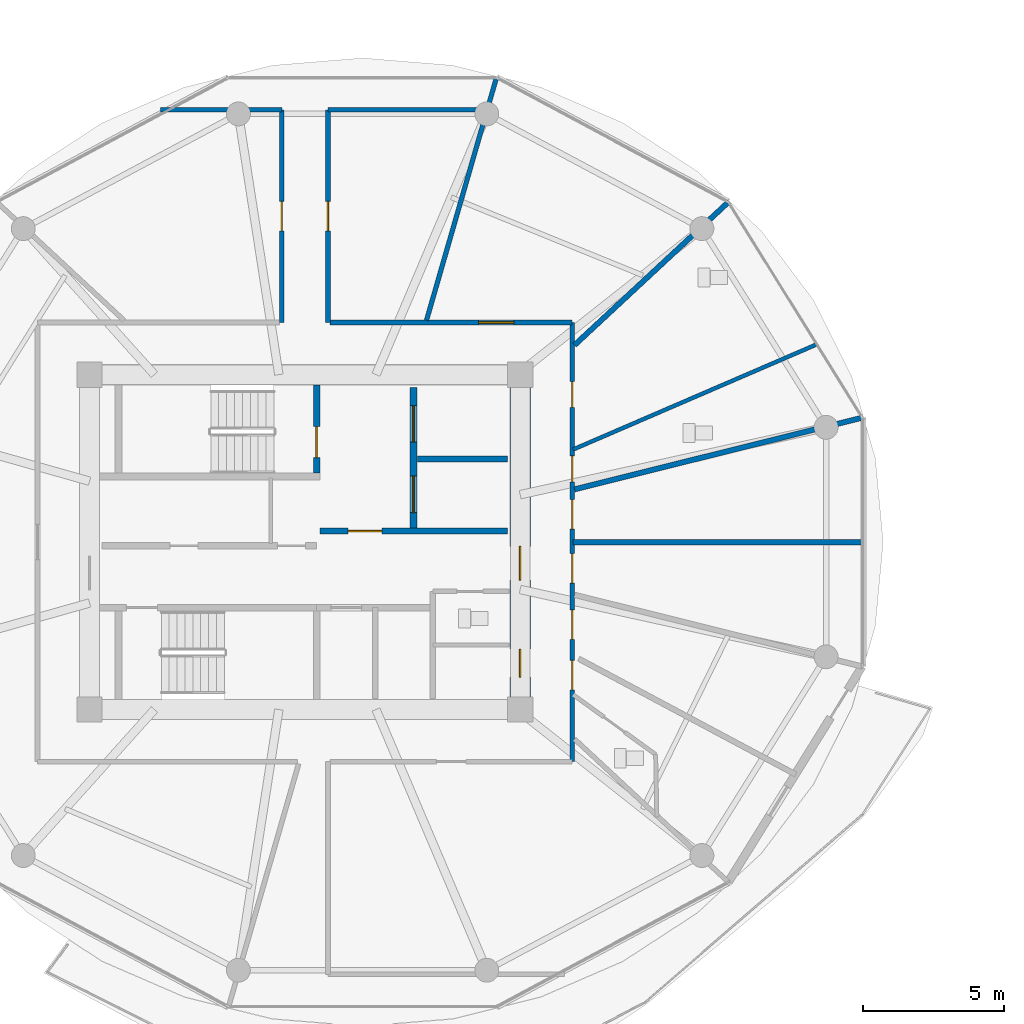
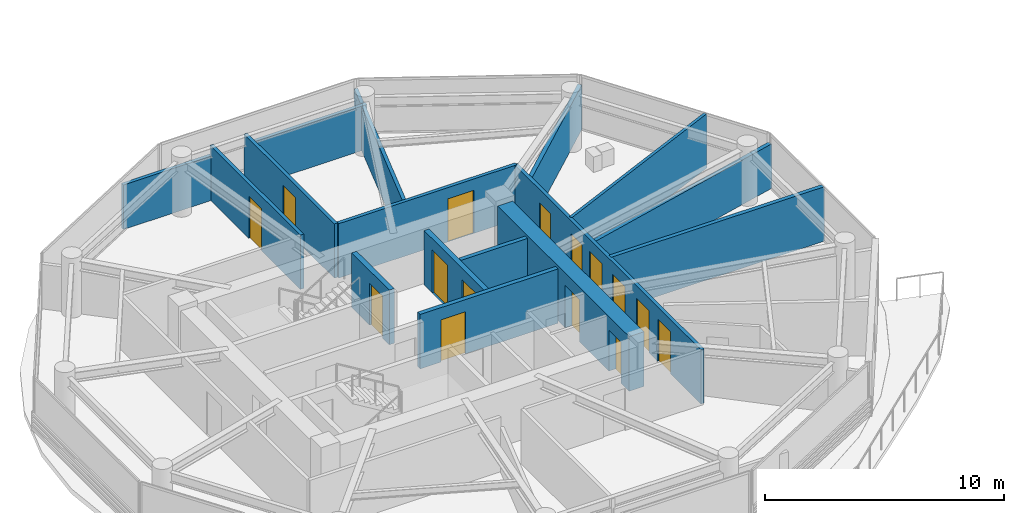
# One storey, part 14 of 24: 16 walls, 15 doors, 15 openings.
"""IFC4 building model written with IfcOpenShell, lengths in metres."""

from ifc_helpers import new_model, si_unit, direction, frame, frame_2d, origin, place, context, subcontext, project, spatial, rectangle, extrude, source, transform, mapped, material, layer, layer_set, type_object, type_shapes, element, fill, save


model = new_model("IFC4")

# Units and contexts
model_context = context("Model", 3, precision=1e-05, world=origin(), true_north=direction((0.0, 1.0)))
body_context = subcontext(model_context, "Body", "Model", "MODEL_VIEW")
ifc_project = project(units=[si_unit("LENGTHUNIT", "METRE"), si_unit("AREAUNIT", "SQUARE_METRE"), si_unit("VOLUMEUNIT", "CUBIC_METRE"), si_unit("PLANEANGLEUNIT", "RADIAN"), si_unit("MASSUNIT", "GRAM", prefix="KILO")], contexts=[model_context])

# Site, building, storey
site_placement = place(None, origin())
site = spatial("IfcSite", under=ifc_project, at=site_placement, CompositionType="ELEMENT")
building_placement = place(site_placement, origin())
building = spatial("IfcBuilding", under=site, at=building_placement, Name="Norrkilde Senior Care Towers", CompositionType="ELEMENT")
storey_placement = place(building_placement, frame((0.0, 0.0, 114.550048828125)))
storey = spatial("IfcBuildingStorey", under=building, at=storey_placement, Name="L35", CompositionType="ELEMENT", Elevation=114.550048828125)

# Wall, openings, doors
ifc_material_1 = material(Name="Concrete C60/75", Category="concrete")
ifc_layer_1 = layer(ifc_material_1, 0.719970703125)
ifc_layer_set_1 = layer_set([ifc_layer_1], Name="Concrete C60/75")
wall_type_1 = type_object("IfcWallType", Name="Core Shear Wall Z2 720", PredefinedType="SHEAR", material=ifc_layer_set_1)
shared_shape_1 = source(origin(), body_context, "Body", "SweptSolid", [
    extrude(rectangle(XDim=11.0, YDim=0.719970703125, at=frame_2d((5.5, 0.0))), origin(), (0.0, 0.0, 1.0), 2.7900390625),
])
type_shapes(wall_type_1, [shared_shape_1])
wall_1_placement = place(storey_placement, frame((-20.35009765625, 5.5, 0.0), z_axis=(0.0, 0.0, 1.0), x_axis=(0.0, -1.0, 0.0)))
wall_1 = element("IfcWall", 1, at=wall_1_placement, inside=storey, type_object=wall_type_1, Name="L35 Core W East Shear Wall", PredefinedType="SHEAR", context=body_context, shape_type="MappedRepresentation", body=[
    mapped(shared_shape_1, transform((0.0, 0.0, 0.0), x_axis=(1.0, 0.0, 0.0), y_axis=(0.0, 1.0, 0.0), z_axis=(0.0, 0.0, 1.0), scale=1.0)),
])
opening_1_placement = place(wall_1_placement, frame((5.64990234375, 0.0, 0.0)))
opening_1 = element("IfcOpeningElement", 2, at=opening_1_placement, cuts=wall_1, Name="Opening D-04", PredefinedType="OPENING", context=body_context, shape_type="SweptSolid", body=[
    extrude(rectangle(XDim=1.199951171875, YDim=2.14990234375, at=frame_2d((0.60009765625, 1.074951171875))), frame((0.0, 0.369873046875, 0.0), z_axis=(0.0, -1.0, 0.0), x_axis=(1.0, 0.0, 0.0)), (0.0, 0.0, 1.0), 0.739990234375),
])
opening_2_placement = place(wall_1_placement, frame((9.300048828125, 0.0, 0.0)))
opening_2 = element("IfcOpeningElement", 3, at=opening_2_placement, cuts=wall_1, Name="Opening D-10", PredefinedType="OPENING", context=body_context, shape_type="SweptSolid", body=[
    extrude(rectangle(XDim=1.0, YDim=2.10009765625, at=frame_2d((0.5, 1.050048828125))), frame((0.0, 0.369873046875, 0.0), z_axis=(0.0, -1.0, 0.0), x_axis=(1.0, 0.0, 0.0)), (0.0, 0.0, 1.0), 0.739990234375),
])
ifc_material_2 = material(Name="Galvanised Painted Steel", Category="steel")
door_type_1 = type_object("IfcDoorType", Name="Firefighting Lobby Fire Door 1200x2150", OperationType="NOTDEFINED", PredefinedType="DOOR", material=ifc_material_2)
shared_shape_2 = source(origin(), body_context, "Body", "SweptSolid", [
    extrude(rectangle(XDim=1.199951171875, YDim=2.14990234375, at=frame_2d((0.60009765625, 1.074951171875))), frame((0.0, 0.02490234375, 0.0), z_axis=(0.0, -1.0, 0.0), x_axis=(1.0, 0.0, 0.0)), (0.0, 0.0, 1.0), 0.050048828125),
])
type_shapes(door_type_1, [shared_shape_2])
door_1_placement = place(opening_1_placement, frame((1.199951171875, 0.0, 0.0), z_axis=(0.0, 0.0, 1.0), x_axis=(-1.0, 0.0, 0.0)))
door_1 = element("IfcDoor", 4, at=door_1_placement, inside=storey, type_object=door_type_1, Name="L35 Core W East Portal Door", OperationType="SINGLE_SWING_RIGHT", OverallHeight=2.14990234375, OverallWidth=1.199951171875, PredefinedType="DOOR", context=body_context, shape_type="MappedRepresentation", body=[
    mapped(shared_shape_2, transform((0.0, 0.0, 0.0), x_axis=(1.0, 0.0, 0.0), y_axis=(0.0, 1.0, 0.0), z_axis=(0.0, 0.0, 1.0), scale=1.0)),
])
fill(opening_1, door_1)
door_type_2 = type_object("IfcDoorType", Name="Plant and Riser Rated Door 1000x2100", OperationType="NOTDEFINED", PredefinedType="DOOR", material=ifc_material_2)
shared_shape_3 = source(origin(), body_context, "Body", "SweptSolid", [
    extrude(rectangle(XDim=1.0, YDim=2.10009765625, at=frame_2d((0.5, 1.050048828125))), frame((0.0, 0.02490234375, 0.0), z_axis=(0.0, -1.0, 0.0), x_axis=(1.0, 0.0, 0.0)), (0.0, 0.0, 1.0), 0.050048828125),
])
type_shapes(door_type_2, [shared_shape_3])
door_2_placement = place(opening_2_placement, frame((1.0, 0.0, 0.0), z_axis=(0.0, 0.0, 1.0), x_axis=(-1.0, 0.0, 0.0)))
door_2 = element("IfcDoor", 5, at=door_2_placement, inside=storey, type_object=door_type_2, Name="L35 Ventilation Riser W Door", OperationType="SINGLE_SWING_RIGHT", OverallHeight=2.10009765625, OverallWidth=1.0, PredefinedType="DOOR", context=body_context, shape_type="MappedRepresentation", body=[
    mapped(shared_shape_3, transform((0.0, 0.0, 0.0), x_axis=(1.0, 0.0, 0.0), y_axis=(0.0, 1.0, 0.0), z_axis=(0.0, 0.0, 1.0), scale=1.0)),
])
fill(opening_2, door_2)

ifc_material_3 = material(Name="Concrete C45/55", Category="concrete")
ifc_layer_2 = layer(ifc_material_3, 0.239990234375)
ifc_layer_set_2 = layer_set([ifc_layer_2], Name="Concrete C45/55")
wall_type_2 = type_object("IfcWallType", Name="Lift and Plant Rated Enclosure Partition 240", PredefinedType="PARTITIONING", material=ifc_layer_set_2)
shared_shape_4 = source(origin(), body_context, "Body", "SweptSolid", [
    extrude(rectangle(XDim=5.0, YDim=0.239990234375, at=frame_2d((2.5, 0.0))), origin(), (0.0, 0.0, 1.0), 2.77490234375),
])
type_shapes(wall_type_2, [shared_shape_4])
wall_2_placement = place(storey_placement, frame((-24.139892578125, 0.5, 0.0), z_axis=(0.0, 0.0, 1.0), x_axis=(0.0, 1.0, 0.0)))
wall_2 = element("IfcWall", 6, at=wall_2_placement, inside=storey, type_object=wall_type_2, Name="WL-INT-L35-W-FFLE", PredefinedType="PARTITIONING", context=body_context, shape_type="MappedRepresentation", body=[
    mapped(shared_shape_4, transform((0.0, 0.0, 0.0), x_axis=(1.0, 0.0, 0.0), y_axis=(0.0, 1.0, 0.0), z_axis=(0.0, 0.0, 1.0), scale=1.0)),
])
opening_3_placement = place(wall_2_placement, frame((3.050048828125, 0.0, 0.0)))
opening_3 = element("IfcOpeningElement", 7, at=opening_3_placement, cuts=wall_2, Name="Opening LD-02", PredefinedType="OPENING", context=body_context, shape_type="SweptSolid", body=[
    extrude(rectangle(XDim=1.300048828125, YDim=2.199951171875, at=frame_2d((0.64990234375, 1.10009765625))), frame((0.0, 0.1298828125, 0.0), z_axis=(0.0, -1.0, 0.0), x_axis=(1.0, 0.0, 0.0)), (0.0, 0.0, 1.0), 0.260009765625),
])
opening_4_placement = place(wall_2_placement, frame((0.550048828125, 0.0, 0.0)))
opening_4 = element("IfcOpeningElement", 8, at=opening_4_placement, cuts=wall_2, Name="Opening LD-02", PredefinedType="OPENING", context=body_context, shape_type="SweptSolid", body=[
    extrude(rectangle(XDim=1.300048828125, YDim=2.199951171875, at=frame_2d((0.64990234375, 1.10009765625))), frame((0.0, 0.1298828125, 0.0), z_axis=(0.0, -1.0, 0.0), x_axis=(1.0, 0.0, 0.0)), (0.0, 0.0, 1.0), 0.260009765625),
])
ifc_material_4 = material(Name="Stainless Steel", Category="steel")
door_type_3 = type_object("IfcDoorType", Name="Stretcher and FFL Landing Sliding Door 1300x2200", OperationType="NOTDEFINED", PredefinedType="DOOR", material=ifc_material_4)
shared_shape_5 = source(origin(), body_context, "Body", "SweptSolid", [
    extrude(rectangle(XDim=1.300048828125, YDim=2.199951171875, at=frame_2d((0.64990234375, 1.10009765625))), frame((0.0, 0.02490234375, 0.0), z_axis=(0.0, -1.0, 0.0), x_axis=(1.0, 0.0, 0.0)), (0.0, 0.0, 1.0), 0.050048828125),
])
type_shapes(door_type_3, [shared_shape_5])
door_3_placement = place(opening_3_placement, origin())
door_3 = element("IfcDoor", 9, at=door_3_placement, inside=storey, type_object=door_type_3, Name="L35 Firefighting Lift W1 Landing Door", OperationType="SLIDING_TO_LEFT", OverallHeight=2.199951171875, OverallWidth=1.300048828125, PredefinedType="DOOR", context=body_context, shape_type="MappedRepresentation", body=[
    mapped(shared_shape_5, transform((0.0, 0.0, 0.0), x_axis=(1.0, 0.0, 0.0), y_axis=(0.0, 1.0, 0.0), z_axis=(0.0, 0.0, 1.0), scale=1.0)),
])
fill(opening_3, door_3)
door_4_placement = place(opening_4_placement, origin())
door_4 = element("IfcDoor", 10, at=door_4_placement, inside=storey, type_object=door_type_3, Name="L35 Stretcher Lift W1 Landing Door", OperationType="SLIDING_TO_RIGHT", OverallHeight=2.199951171875, OverallWidth=1.300048828125, PredefinedType="DOOR", context=body_context, shape_type="MappedRepresentation", body=[
    mapped(shared_shape_5, transform((0.0, 0.0, 0.0), x_axis=(1.0, 0.0, 0.0), y_axis=(0.0, 1.0, 0.0), z_axis=(0.0, 0.0, 1.0), scale=1.0)),
])
fill(opening_4, door_4)

# Wall
ifc_layer_3 = layer(ifc_material_3, 0.199951171875)
ifc_layer_set_3 = layer_set([ifc_layer_3], Name="Concrete C45/55")
wall_type_3 = type_object("IfcWallType", Name="Shaft Division and Plant Partition 200", PredefinedType="PARTITIONING", material=ifc_layer_set_3)
shared_shape_6 = source(origin(), body_context, "Body", "SweptSolid", [
    extrude(rectangle(XDim=3.199951171875, YDim=0.199951171875, at=frame_2d((1.60009765625, 0.0))), origin(), (0.0, 0.0, 1.0), 2.77490234375),
])
type_shapes(wall_type_3, [shared_shape_6])
wall_3_placement = place(storey_placement, frame((-24.0, 2.949951171875, 0.0), z_axis=(0.0, 0.0, 1.0), x_axis=(1.0, 0.0, 0.0)))
element("IfcWall", 11, at=wall_3_placement, inside=storey, type_object=wall_type_3, Name="WL-INT-L35-W-FFLDIV", PredefinedType="PARTITIONING", context=body_context, shape_type="MappedRepresentation", body=[
    mapped(shared_shape_6, transform((0.0, 0.0, 0.0), x_axis=(1.0, 0.0, 0.0), y_axis=(0.0, 1.0, 0.0), z_axis=(0.0, 0.0, 1.0), scale=1.0)),
])

# Wall, opening, door
ifc_layer_4 = layer(ifc_material_3, 0.2099609375)
ifc_layer_set_4 = layer_set([ifc_layer_4], Name="Concrete C45/55")
wall_type_4 = type_object("IfcWallType", Name="Firefighting Lobby Wall 210", PredefinedType="PARTITIONING", material=ifc_layer_set_4)
shared_shape_7 = source(origin(), body_context, "Body", "SweptSolid", [
    extrude(rectangle(XDim=6.659912109375, YDim=0.2099609375, at=frame_2d((3.330078125, 0.0))), origin(), (0.0, 0.0, 1.0), 2.77490234375),
])
type_shapes(wall_type_4, [shared_shape_7])
wall_4_placement = place(storey_placement, frame((-27.4599609375, 0.389892578125, 0.0), z_axis=(0.0, 0.0, 1.0), x_axis=(1.0, 0.0, 0.0)))
wall_4 = element("IfcWall", 12, at=wall_4_placement, inside=storey, type_object=wall_type_4, Name="WL-INT-L35-W-FFLS", PredefinedType="PARTITIONING", context=body_context, shape_type="MappedRepresentation", body=[
    mapped(shared_shape_7, transform((0.0, 0.0, 0.0), x_axis=(1.0, 0.0, 0.0), y_axis=(0.0, 1.0, 0.0), z_axis=(0.0, 0.0, 1.0), scale=1.0)),
])
opening_5_placement = place(wall_4_placement, frame((1.0, 0.0, 0.0)))
opening_5 = element("IfcOpeningElement", 13, at=opening_5_placement, cuts=wall_4, Name="Opening D-04", PredefinedType="OPENING", context=body_context, shape_type="SweptSolid", body=[
    extrude(rectangle(XDim=1.199951171875, YDim=2.14990234375, at=frame_2d((0.60009765625, 1.074951171875))), frame((0.0, 0.114990234375, 0.0), z_axis=(0.0, -1.0, 0.0), x_axis=(1.0, 0.0, 0.0)), (0.0, 0.0, 1.0), 0.22998046875),
])
door_5_placement = place(opening_5_placement, frame((1.199951171875, 0.0, 0.0), z_axis=(0.0, 0.0, 1.0), x_axis=(-1.0, 0.0, 0.0)))
door_5 = element("IfcDoor", 14, at=door_5_placement, inside=storey, type_object=door_type_1, Name="L35 Firefighting Lobby W Door", OperationType="SINGLE_SWING_LEFT", OverallHeight=2.14990234375, OverallWidth=1.199951171875, PredefinedType="DOOR", context=body_context, shape_type="MappedRepresentation", body=[
    mapped(shared_shape_2, transform((0.0, 0.0, 0.0), x_axis=(1.0, 0.0, 0.0), y_axis=(0.0, 1.0, 0.0), z_axis=(0.0, 0.0, 1.0), scale=1.0)),
])
fill(opening_5, door_5)

# Wall, openings, doors
ifc_material_5 = material(Name="Gypsum Acoustic Board")
ifc_layer_5 = layer(ifc_material_5, 0.1650390625)
ifc_layer_set_5 = layer_set([ifc_layer_5], Name="Gypsum Acoustic Board")
wall_type_5 = type_object("IfcWallType", Name="Corridor Rated Partition 165", PredefinedType="PARTITIONING", material=ifc_layer_set_5)
shared_shape_8 = source(origin(), body_context, "Body", "SweptSolid", [
    extrude(rectangle(XDim=15.60009765625, YDim=0.1650390625, at=frame_2d((7.800048828125, 0.0))), origin(), (0.0, 0.0, 1.0), 2.77490234375),
])
wall_5_placement = place(storey_placement, frame((-18.5, 7.800048828125, 0.0), z_axis=(0.0, 0.0, 1.0), x_axis=(0.0, -1.0, 0.0)))
wall_5 = element("IfcWall", 15, at=wall_5_placement, inside=storey, type_object=wall_type_5, Name="WL-INT-L35-W-CRW-E-0", PredefinedType="PARTITIONING", context=body_context, shape_type="MappedRepresentation", body=[
    mapped(shared_shape_8, transform((0.0, 0.0, 0.0), x_axis=(1.0, 0.0, 0.0), y_axis=(0.0, 1.0, 0.0), z_axis=(0.0, 0.0, 1.0), scale=1.0)),
])
opening_6_placement = place(wall_5_placement, frame((12.001953125, 0.0, 0.0)))
opening_6 = element("IfcOpeningElement", 16, at=opening_6_placement, cuts=wall_5, Name="Opening D-06", PredefinedType="OPENING", context=body_context, shape_type="SweptSolid", body=[
    extrude(rectangle(XDim=1.050048828125, YDim=2.14990234375, at=frame_2d((0.52490234375, 1.074951171875))), frame((0.0, 0.092529296875, 0.0), z_axis=(0.0, -1.0, 0.0), x_axis=(1.0, 0.0, 0.0)), (0.0, 0.0, 1.0), 0.18505859375),
])
opening_7_placement = place(wall_5_placement, frame((10.210693359375, 0.0, 0.0)))
opening_7 = element("IfcOpeningElement", 17, at=opening_7_placement, cuts=wall_5, Name="Opening D-06", PredefinedType="OPENING", context=body_context, shape_type="SweptSolid", body=[
    extrude(rectangle(XDim=1.050048828125, YDim=2.14990234375, at=frame_2d((0.52490234375, 1.074951171875))), frame((0.0, 0.092529296875, 0.0), z_axis=(0.0, -1.0, 0.0), x_axis=(1.0, 0.0, 0.0)), (0.0, 0.0, 1.0), 0.18505859375),
])
opening_8_placement = place(wall_5_placement, frame((8.21240234375, 0.0, 0.0)))
opening_8 = element("IfcOpeningElement", 18, at=opening_8_placement, cuts=wall_5, Name="Opening D-06", PredefinedType="OPENING", context=body_context, shape_type="SweptSolid", body=[
    extrude(rectangle(XDim=1.050048828125, YDim=2.14990234375, at=frame_2d((0.52490234375, 1.074951171875))), frame((0.0, 0.092529296875, 0.0), z_axis=(0.0, -1.0, 0.0), x_axis=(1.0, 0.0, 0.0)), (0.0, 0.0, 1.0), 0.18505859375),
])
opening_9_placement = place(wall_5_placement, frame((6.290771484375, 0.0, 0.0)))
opening_9 = element("IfcOpeningElement", 19, at=opening_9_placement, cuts=wall_5, Name="Opening D-06", PredefinedType="OPENING", context=body_context, shape_type="SweptSolid", body=[
    extrude(rectangle(XDim=1.050048828125, YDim=2.14990234375, at=frame_2d((0.52490234375, 1.074951171875))), frame((0.0, 0.092529296875, 0.0), z_axis=(0.0, -1.0, 0.0), x_axis=(1.0, 0.0, 0.0)), (0.0, 0.0, 1.0), 0.18505859375),
])
opening_10_placement = place(wall_5_placement, frame((4.739013671875, 0.0, 0.0)))
opening_10 = element("IfcOpeningElement", 20, at=opening_10_placement, cuts=wall_5, Name="Opening D-08", PredefinedType="OPENING", context=body_context, shape_type="SweptSolid", body=[
    extrude(rectangle(XDim=0.919921875, YDim=2.10009765625, at=frame_2d((0.4599609375, 1.050048828125))), frame((0.0, 0.092529296875, 0.0), z_axis=(0.0, -1.0, 0.0), x_axis=(1.0, 0.0, 0.0)), (0.0, 0.0, 1.0), 0.18505859375),
])
opening_11_placement = place(wall_5_placement, frame((2.096435546875, 0.0, 0.0)))
opening_11 = element("IfcOpeningElement", 21, at=opening_11_placement, cuts=wall_5, Name="Opening D-08", PredefinedType="OPENING", context=body_context, shape_type="SweptSolid", body=[
    extrude(rectangle(XDim=0.919921875, YDim=2.10009765625, at=frame_2d((0.4599609375, 1.050048828125))), frame((0.0, 0.092529296875, 0.0), z_axis=(0.0, -1.0, 0.0), x_axis=(1.0, 0.0, 0.0)), (0.0, 0.0, 1.0), 0.18505859375),
])
ifc_material_6 = material(Name="Nordic Ash Timber", Category="wood")
door_type_4 = type_object("IfcDoorType", Name="Accessible Wet Room Door 920x2100", OperationType="NOTDEFINED", PredefinedType="DOOR", material=ifc_material_6)
shared_shape_9 = source(origin(), body_context, "Body", "SweptSolid", [
    extrude(rectangle(XDim=0.919921875, YDim=2.10009765625, at=frame_2d((0.4599609375, 1.050048828125))), frame((0.0, 0.02490234375, 0.0), z_axis=(0.0, -1.0, 0.0), x_axis=(1.0, 0.0, 0.0)), (0.0, 0.0, 1.0), 0.050048828125),
])
type_shapes(door_type_4, [shared_shape_9])
door_6_placement = place(opening_10_placement, frame((0.919921875, 0.0, 0.0), z_axis=(0.0, 0.0, 1.0), x_axis=(-1.0, 0.0, 0.0)))
door_6 = element("IfcDoor", 22, at=door_6_placement, inside=storey, type_object=door_type_4, Name="L35 Accessible Restroom Door", OperationType="SINGLE_SWING_LEFT", OverallHeight=2.10009765625, OverallWidth=0.919921875, PredefinedType="DOOR", context=body_context, shape_type="MappedRepresentation", body=[
    mapped(shared_shape_9, transform((0.0, 0.0, 0.0), x_axis=(1.0, 0.0, 0.0), y_axis=(0.0, 1.0, 0.0), z_axis=(0.0, 0.0, 1.0), scale=1.0)),
])
fill(opening_10, door_6)
door_7_placement = place(opening_11_placement, frame((0.919921875, 0.0, 0.0), z_axis=(0.0, 0.0, 1.0), x_axis=(-1.0, 0.0, 0.0)))
door_7 = element("IfcDoor", 23, at=door_7_placement, inside=storey, type_object=door_type_4, Name="L35 Public Restroom Door", OperationType="SINGLE_SWING_RIGHT", OverallHeight=2.10009765625, OverallWidth=0.919921875, PredefinedType="DOOR", context=body_context, shape_type="MappedRepresentation", body=[
    mapped(shared_shape_9, transform((0.0, 0.0, 0.0), x_axis=(1.0, 0.0, 0.0), y_axis=(0.0, 1.0, 0.0), z_axis=(0.0, 0.0, 1.0), scale=1.0)),
])
fill(opening_11, door_7)
door_type_5 = type_object("IfcDoorType", Name="Apartment Entrance Fire Door 1050x2150", OperationType="NOTDEFINED", PredefinedType="DOOR", material=ifc_material_6)
shared_shape_10 = source(origin(), body_context, "Body", "SweptSolid", [
    extrude(rectangle(XDim=1.050048828125, YDim=2.14990234375, at=frame_2d((0.52490234375, 1.074951171875))), frame((0.0, 0.02490234375, 0.0), z_axis=(0.0, -1.0, 0.0), x_axis=(1.0, 0.0, 0.0)), (0.0, 0.0, 1.0), 0.050048828125),
])
type_shapes(door_type_5, [shared_shape_10])
door_8_placement = place(opening_6_placement, frame((1.050048828125, 0.0, 0.0), z_axis=(0.0, 0.0, 1.0), x_axis=(-1.0, 0.0, 0.0)))
door_8 = element("IfcDoor", 24, at=door_8_placement, inside=storey, type_object=door_type_5, Name="L35 Care Suite 3510A Entrance Door", OperationType="SINGLE_SWING_RIGHT", OverallHeight=2.14990234375, OverallWidth=1.050048828125, PredefinedType="DOOR", context=body_context, shape_type="MappedRepresentation", body=[
    mapped(shared_shape_10, transform((0.0, 0.0, 0.0), x_axis=(1.0, 0.0, 0.0), y_axis=(0.0, 1.0, 0.0), z_axis=(0.0, 0.0, 1.0), scale=1.0)),
])
fill(opening_6, door_8)
door_9_placement = place(opening_7_placement, frame((1.050048828125, 0.0, 0.0), z_axis=(0.0, 0.0, 1.0), x_axis=(-1.0, 0.0, 0.0)))
door_9 = element("IfcDoor", 25, at=door_9_placement, inside=storey, type_object=door_type_5, Name="L35 Therapy Day Lounge 10 Door", OperationType="SINGLE_SWING_RIGHT", OverallHeight=2.14990234375, OverallWidth=1.050048828125, PredefinedType="DOOR", context=body_context, shape_type="MappedRepresentation", body=[
    mapped(shared_shape_10, transform((0.0, 0.0, 0.0), x_axis=(1.0, 0.0, 0.0), y_axis=(0.0, 1.0, 0.0), z_axis=(0.0, 0.0, 1.0), scale=1.0)),
])
fill(opening_7, door_9)
door_10_placement = place(opening_8_placement, frame((1.050048828125, 0.0, 0.0), z_axis=(0.0, 0.0, 1.0), x_axis=(-1.0, 0.0, 0.0)))
door_10 = element("IfcDoor", 26, at=door_10_placement, inside=storey, type_object=door_type_5, Name="L35 Physiotherapy Clinic 11A Door", OperationType="SINGLE_SWING_RIGHT", OverallHeight=2.14990234375, OverallWidth=1.050048828125, PredefinedType="DOOR", context=body_context, shape_type="MappedRepresentation", body=[
    mapped(shared_shape_10, transform((0.0, 0.0, 0.0), x_axis=(1.0, 0.0, 0.0), y_axis=(0.0, 1.0, 0.0), z_axis=(0.0, 0.0, 1.0), scale=1.0)),
])
fill(opening_8, door_10)
door_11_placement = place(opening_9_placement, frame((1.050048828125, 0.0, 0.0), z_axis=(0.0, 0.0, 1.0), x_axis=(-1.0, 0.0, 0.0)))
door_11 = element("IfcDoor", 27, at=door_11_placement, inside=storey, type_object=door_type_5, Name="L35 Assessment Clinic 11B Door", OperationType="SINGLE_SWING_LEFT", OverallHeight=2.14990234375, OverallWidth=1.050048828125, PredefinedType="DOOR", context=body_context, shape_type="MappedRepresentation", body=[
    mapped(shared_shape_10, transform((0.0, 0.0, 0.0), x_axis=(1.0, 0.0, 0.0), y_axis=(0.0, 1.0, 0.0), z_axis=(0.0, 0.0, 1.0), scale=1.0)),
])
fill(opening_9, door_11)

# Wall, opening, door
ifc_layer_6 = layer(ifc_material_3, 0.239990234375)
ifc_layer_set_6 = layer_set([ifc_layer_6], Name="Concrete C45/55")
wall_type_6 = type_object("IfcWallType", Name="Shaft and Stair Enclosure Wall 240", PredefinedType="PARTITIONING", material=ifc_layer_set_6)
shared_shape_11 = source(origin(), body_context, "Body", "SweptSolid", [
    extrude(rectangle(XDim=3.14013671875, YDim=0.239990234375, at=frame_2d((1.570068359375, 0.0))), origin(), (0.0, 0.0, 1.0), 2.7900390625),
])
type_shapes(wall_type_6, [shared_shape_11])
wall_6_placement = place(storey_placement, frame((-27.580078125, 2.449951171875, 0.0), z_axis=(0.0, 0.0, 1.0), x_axis=(0.0, 1.0, 0.0)))
wall_6 = element("IfcWall", 28, at=wall_6_placement, inside=storey, type_object=wall_type_6, Name="WL-INT-L35-W-ST1E", PredefinedType="PARTITIONING", context=body_context, shape_type="MappedRepresentation", body=[
    mapped(shared_shape_11, transform((0.0, 0.0, 0.0), x_axis=(1.0, 0.0, 0.0), y_axis=(0.0, 1.0, 0.0), z_axis=(0.0, 0.0, 1.0), scale=1.0)),
])
opening_12_placement = place(wall_6_placement, frame((0.550048828125, 0.0, 0.0)))
opening_12 = element("IfcOpeningElement", 29, at=opening_12_placement, cuts=wall_6, Name="Opening D-03", PredefinedType="OPENING", context=body_context, shape_type="SweptSolid", body=[
    extrude(rectangle(XDim=1.10009765625, YDim=2.14990234375, at=frame_2d((0.550048828125, 1.074951171875))), frame((0.0, 0.1298828125, 0.0), z_axis=(0.0, -1.0, 0.0), x_axis=(1.0, 0.0, 0.0)), (0.0, 0.0, 1.0), 0.260009765625),
])
door_type_6 = type_object("IfcDoorType", Name="Stairwell Protected Fire Door 1100x2150", OperationType="NOTDEFINED", PredefinedType="DOOR", material=ifc_material_2)
shared_shape_12 = source(origin(), body_context, "Body", "SweptSolid", [
    extrude(rectangle(XDim=1.10009765625, YDim=2.14990234375, at=frame_2d((0.550048828125, 1.074951171875))), frame((0.0, 0.02490234375, 0.0), z_axis=(0.0, -1.0, 0.0), x_axis=(1.0, 0.0, 0.0)), (0.0, 0.0, 1.0), 0.050048828125),
])
type_shapes(door_type_6, [shared_shape_12])
door_12_placement = place(opening_12_placement, origin())
door_12 = element("IfcDoor", 30, at=door_12_placement, inside=storey, type_object=door_type_6, Name="L35 Stair W1 Fire Door", OperationType="SINGLE_SWING_LEFT", OverallHeight=2.14990234375, OverallWidth=1.10009765625, PredefinedType="DOOR", context=body_context, shape_type="MappedRepresentation", body=[
    mapped(shared_shape_12, transform((0.0, 0.0, 0.0), x_axis=(1.0, 0.0, 0.0), y_axis=(0.0, 1.0, 0.0), z_axis=(0.0, 0.0, 1.0), scale=1.0)),
])
fill(opening_12, door_12)

shared_shape_13 = source(origin(), body_context, "Body", "SweptSolid", [
    extrude(rectangle(XDim=8.60009765625, YDim=0.1650390625, at=frame_2d((4.300048828125, 0.0))), origin(), (0.0, 0.0, 1.0), 2.77490234375),
])
wall_7_placement = place(storey_placement, frame((-27.10009765625, 7.800048828125, 0.0), z_axis=(0.0, 0.0, 1.0), x_axis=(1.0, 0.0, 0.0)))
wall_7 = element("IfcWall", 31, at=wall_7_placement, inside=storey, type_object=wall_type_5, Name="WL-INT-L35-W-CRW-N-1", PredefinedType="PARTITIONING", context=body_context, shape_type="MappedRepresentation", body=[
    mapped(shared_shape_13, transform((0.0, 0.0, 0.0), x_axis=(1.0, 0.0, 0.0), y_axis=(0.0, 1.0, 0.0), z_axis=(0.0, 0.0, 1.0), scale=1.0)),
])
opening_13_placement = place(wall_7_placement, frame((5.27490234375, 0.0, 0.0)))
opening_13 = element("IfcOpeningElement", 32, at=opening_13_placement, cuts=wall_7, Name="Opening D-05", PredefinedType="OPENING", context=body_context, shape_type="SweptSolid", body=[
    extrude(rectangle(XDim=1.25, YDim=2.199951171875, at=frame_2d((0.625, 1.10009765625))), frame((0.0, 0.092529296875, 0.0), z_axis=(0.0, -1.0, 0.0), x_axis=(1.0, 0.0, 0.0)), (0.0, 0.0, 1.0), 0.18505859375),
])
door_type_7 = type_object("IfcDoorType", Name="Care Bedroom Bariatric Door 1250x2200", OperationType="NOTDEFINED", PredefinedType="DOOR", material=ifc_material_6)
shared_shape_14 = source(origin(), body_context, "Body", "SweptSolid", [
    extrude(rectangle(XDim=1.25, YDim=2.199951171875, at=frame_2d((0.625, 1.10009765625))), frame((0.0, 0.02490234375, 0.0), z_axis=(0.0, -1.0, 0.0), x_axis=(1.0, 0.0, 0.0)), (0.0, 0.0, 1.0), 0.050048828125),
])
type_shapes(door_type_7, [shared_shape_14])
door_13_placement = place(opening_13_placement, frame((1.25, 0.0, 0.0), z_axis=(0.0, 0.0, 1.0), x_axis=(-1.0, 0.0, 0.0)))
door_13 = element("IfcDoor", 33, at=door_13_placement, inside=storey, type_object=door_type_7, Name="L35 Household Communal Dining Salon Door", OperationType="SINGLE_SWING_RIGHT", OverallHeight=2.199951171875, OverallWidth=1.25, PredefinedType="DOOR", context=body_context, shape_type="MappedRepresentation", body=[
    mapped(shared_shape_14, transform((0.0, 0.0, 0.0), x_axis=(1.0, 0.0, 0.0), y_axis=(0.0, 1.0, 0.0), z_axis=(0.0, 0.0, 1.0), scale=1.0)),
])
fill(opening_13, door_13)

# Wall
shared_shape_15 = source(origin(), body_context, "Body", "SweptSolid", [
    extrude(rectangle(XDim=8.9892578125, YDim=0.1650390625, at=frame_2d((4.49462890625, 0.0))), origin(), (0.0, 0.0, 1.0), 2.27490234375),
])
wall_8_placement = place(storey_placement, frame((-23.677978515625, 7.8798828125, 0.0), z_axis=(0.0, 0.0, 1.0), x_axis=(0.27702323008, 0.960863221274, 0.0)))
element("IfcWall", 34, at=wall_8_placement, inside=storey, type_object=wall_type_5, Name="WL-INT-L35-W-DEM-02-0", PredefinedType="PARTITIONING", context=body_context, shape_type="MappedRepresentation", body=[
    mapped(shared_shape_15, transform((0.0, 0.0, 0.0), x_axis=(1.0, 0.0, 0.0), y_axis=(0.0, 1.0, 0.0), z_axis=(0.0, 0.0, 1.0), scale=1.0)),
])

# Wall, opening, door
shared_shape_16 = source(origin(), body_context, "Body", "SweptSolid", [
    extrude(rectangle(XDim=7.56005859375, YDim=0.1650390625, at=frame_2d((3.780029296875, 0.0))), origin(), (0.0, 0.0, 1.0), 2.77490234375),
])
wall_9_placement = place(storey_placement, frame((-28.820068359375, 7.800048828125, 0.0), z_axis=(0.0, 0.0, 1.0), x_axis=(0.0, 1.0, 0.0)))
wall_9 = element("IfcWall", 35, at=wall_9_placement, inside=storey, type_object=wall_type_5, Name="WL-INT-L35-W-PKW-NWL", PredefinedType="PARTITIONING", context=body_context, shape_type="MappedRepresentation", body=[
    mapped(shared_shape_16, transform((0.0, 0.0, 0.0), x_axis=(1.0, 0.0, 0.0), y_axis=(0.0, 1.0, 0.0), z_axis=(0.0, 0.0, 1.0), scale=1.0)),
])
opening_14_placement = place(wall_9_placement, frame((3.2548828125, 0.0, 0.0)))
opening_14 = element("IfcOpeningElement", 36, at=opening_14_placement, cuts=wall_9, Name="Opening D-06", PredefinedType="OPENING", context=body_context, shape_type="SweptSolid", body=[
    extrude(rectangle(XDim=1.050048828125, YDim=2.14990234375, at=frame_2d((0.52490234375, 1.074951171875))), frame((0.0, 0.092529296875, 0.0), z_axis=(0.0, -1.0, 0.0), x_axis=(1.0, 0.0, 0.0)), (0.0, 0.0, 1.0), 0.18505859375),
])
door_14_placement = place(opening_14_placement, frame((1.050048828125, 0.0, 0.0), z_axis=(0.0, 0.0, 1.0), x_axis=(-1.0, 0.0, 0.0)))
door_14 = element("IfcDoor", 37, at=door_14_placement, inside=storey, type_object=door_type_5, Name="L35 Reading Lounge NWL Door", OperationType="SINGLE_SWING_RIGHT", OverallHeight=2.14990234375, OverallWidth=1.050048828125, PredefinedType="DOOR", context=body_context, shape_type="MappedRepresentation", body=[
    mapped(shared_shape_10, transform((0.0, 0.0, 0.0), x_axis=(1.0, 0.0, 0.0), y_axis=(0.0, 1.0, 0.0), z_axis=(0.0, 0.0, 1.0), scale=1.0)),
])
fill(opening_14, door_14)

wall_10_placement = place(storey_placement, frame((-27.179931640625, 7.800048828125, 0.0), z_axis=(0.0, 0.0, 1.0), x_axis=(0.0, 1.0, 0.0)))
wall_10 = element("IfcWall", 38, at=wall_10_placement, inside=storey, type_object=wall_type_5, Name="WL-INT-L35-W-PKW-NEL", PredefinedType="PARTITIONING", context=body_context, shape_type="MappedRepresentation", body=[
    mapped(shared_shape_16, transform((0.0, 0.0, 0.0), x_axis=(1.0, 0.0, 0.0), y_axis=(0.0, 1.0, 0.0), z_axis=(0.0, 0.0, 1.0), scale=1.0)),
])
opening_15_placement = place(wall_10_placement, frame((3.2548828125, 0.0, 0.0)))
opening_15 = element("IfcOpeningElement", 39, at=opening_15_placement, cuts=wall_10, Name="Opening D-06", PredefinedType="OPENING", context=body_context, shape_type="SweptSolid", body=[
    extrude(rectangle(XDim=1.050048828125, YDim=2.14990234375, at=frame_2d((0.52490234375, 1.074951171875))), frame((0.0, 0.092529296875, 0.0), z_axis=(0.0, -1.0, 0.0), x_axis=(1.0, 0.0, 0.0)), (0.0, 0.0, 1.0), 0.18505859375),
])
door_15_placement = place(opening_15_placement, frame((1.050048828125, 0.0, 0.0), z_axis=(0.0, 0.0, 1.0), x_axis=(-1.0, 0.0, 0.0)))
door_15 = element("IfcDoor", 40, at=door_15_placement, inside=storey, type_object=door_type_5, Name="L35 Reading Lounge NEL Door", OperationType="SINGLE_SWING_RIGHT", OverallHeight=2.14990234375, OverallWidth=1.050048828125, PredefinedType="DOOR", context=body_context, shape_type="MappedRepresentation", body=[
    mapped(shared_shape_10, transform((0.0, 0.0, 0.0), x_axis=(1.0, 0.0, 0.0), y_axis=(0.0, 1.0, 0.0), z_axis=(0.0, 0.0, 1.0), scale=1.0)),
])
fill(opening_15, door_15)

# Walls
shared_shape_17 = source(origin(), body_context, "Body", "SweptSolid", [
    extrude(rectangle(XDim=4.306884765625, YDim=0.1650390625, at=frame_2d((2.1533203125, 0.0))), origin(), (0.0, 0.0, 1.0), 2.27490234375),
])
wall_11_placement = place(storey_placement, frame((-33.126953125, 15.360107421875, 0.0), z_axis=(0.0, 0.0, 1.0), x_axis=(1.0, 0.0, 0.0)))
element("IfcWall", 41, at=wall_11_placement, inside=storey, type_object=wall_type_5, Name="WL-INT-L35-W-PKH-NWL-0", PredefinedType="PARTITIONING", context=body_context, shape_type="MappedRepresentation", body=[
    mapped(shared_shape_17, transform((0.0, 0.0, 0.0), x_axis=(1.0, 0.0, 0.0), y_axis=(0.0, 1.0, 0.0), z_axis=(0.0, 0.0, 1.0), scale=1.0)),
])
shared_shape_18 = source(origin(), body_context, "Body", "SweptSolid", [
    extrude(rectangle(XDim=5.81396484375, YDim=0.1650390625, at=frame_2d((2.906982421875, 0.0))), origin(), (0.0, 0.0, 1.0), 2.27490234375),
])
type_shapes(wall_type_5, [shared_shape_8, shared_shape_13, shared_shape_15, shared_shape_16, shared_shape_17, shared_shape_18])
wall_12_placement = place(storey_placement, frame((-27.179931640625, 15.360107421875, 0.0), z_axis=(0.0, 0.0, 1.0), x_axis=(1.0, 0.0, 0.0)))
element("IfcWall", 42, at=wall_12_placement, inside=storey, type_object=wall_type_5, Name="WL-INT-L35-W-PKH-NEL-0", PredefinedType="PARTITIONING", context=body_context, shape_type="MappedRepresentation", body=[
    mapped(shared_shape_18, transform((0.0, 0.0, 0.0), x_axis=(1.0, 0.0, 0.0), y_axis=(0.0, 1.0, 0.0), z_axis=(0.0, 0.0, 1.0), scale=1.0)),
])
ifc_layer_7 = layer(ifc_material_5, 0.18994140625)
ifc_layer_set_7 = layer_set([ifc_layer_7], Name="Gypsum Acoustic Board")
wall_type_7 = type_object("IfcWallType", Name="Unit Demising Acoustic Wall 190", PredefinedType="PARTITIONING", material=ifc_layer_set_7)
shared_shape_19 = source(origin(), body_context, "Body", "SweptSolid", [
    extrude(rectangle(XDim=10.5556640625, YDim=0.18994140625, at=frame_2d((5.27783203125, 0.0))), origin(), (0.0, 0.0, 1.0), 2.27490234375),
])
wall_13_placement = place(storey_placement, frame((-18.419921875, 1.875, 0.0), z_axis=(0.0, 0.0, 1.0), x_axis=(0.970363857851, 0.241648470667, 0.0)))
element("IfcWall", 43, at=wall_13_placement, inside=storey, type_object=wall_type_7, Name="WL-INT-L35-W-DEM-00-0", PredefinedType="PARTITIONING", context=body_context, shape_type="MappedRepresentation", body=[
    mapped(shared_shape_19, transform((0.0, 0.0, 0.0), x_axis=(1.0, 0.0, 0.0), y_axis=(0.0, 1.0, 0.0), z_axis=(0.0, 0.0, 1.0), scale=1.0)),
])
shared_shape_20 = source(origin(), body_context, "Body", "SweptSolid", [
    extrude(rectangle(XDim=7.482177734375, YDim=0.18994140625, at=frame_2d((3.7412109375, 0.0))), origin(), (0.0, 0.0, 1.0), 2.27490234375),
])
wall_14_placement = place(storey_placement, frame((-18.419921875, 6.998046875, 0.0), z_axis=(0.0, 0.0, 1.0), x_axis=(0.732508698043, 0.680757671489, 0.0)))
element("IfcWall", 44, at=wall_14_placement, inside=storey, type_object=wall_type_7, Name="WL-INT-L35-W-DEM-01-0", PredefinedType="PARTITIONING", context=body_context, shape_type="MappedRepresentation", body=[
    mapped(shared_shape_20, transform((0.0, 0.0, 0.0), x_axis=(1.0, 0.0, 0.0), y_axis=(0.0, 1.0, 0.0), z_axis=(0.0, 0.0, 1.0), scale=1.0)),
])
ifc_layer_8 = layer(ifc_material_5, 0.139892578125)
ifc_layer_set_8 = layer_set([ifc_layer_8], Name="Gypsum Acoustic Board")
wall_type_8 = type_object("IfcWallType", Name="En-suite Wet Room Wall 140", PredefinedType="PARTITIONING", material=ifc_layer_set_8)
shared_shape_21 = source(origin(), body_context, "Body", "SweptSolid", [
    extrude(rectangle(XDim=9.447021484375, YDim=0.139892578125, at=frame_2d((4.7236328125, 0.0))), origin(), (0.0, 0.0, 1.0), 2.77490234375),
])
type_shapes(wall_type_8, [shared_shape_21])
wall_15_placement = place(storey_placement, frame((-18.469970703125, 3.289306640625, 0.0), z_axis=(0.0, 0.0, 1.0), x_axis=(0.918162367414, 0.396204324894, 0.0)))
element("IfcWall", 45, at=wall_15_placement, inside=storey, type_object=wall_type_8, Name="WL-INT-L35-W-MID-00", PredefinedType="PARTITIONING", context=body_context, shape_type="MappedRepresentation", body=[
    mapped(shared_shape_21, transform((0.0, 0.0, 0.0), x_axis=(1.0, 0.0, 0.0), y_axis=(0.0, 1.0, 0.0), z_axis=(0.0, 0.0, 1.0), scale=1.0)),
])
shared_shape_22 = source(origin(), body_context, "Body", "SweptSolid", [
    extrude(rectangle(XDim=10.29296875, YDim=0.18994140625, at=frame_2d((5.146484375, 0.0))), origin(), (0.0, 0.0, 1.0), 2.77490234375),
])
type_shapes(wall_type_7, [shared_shape_19, shared_shape_20, shared_shape_22])
wall_16_placement = place(storey_placement, frame((-18.469970703125, 0.0, 0.0), z_axis=(0.0, 0.0, 1.0), x_axis=(1.0, 0.0, 0.0)))
element("IfcWall", 46, at=wall_16_placement, inside=storey, type_object=wall_type_7, Name="WL-INT-L35-W-MID-11", PredefinedType="PARTITIONING", context=body_context, shape_type="MappedRepresentation", body=[
    mapped(shared_shape_22, transform((0.0, 0.0, 0.0), x_axis=(1.0, 0.0, 0.0), y_axis=(0.0, 1.0, 0.0), z_axis=(0.0, 0.0, 1.0), scale=1.0)),
])

save(model, "model.ifc")
